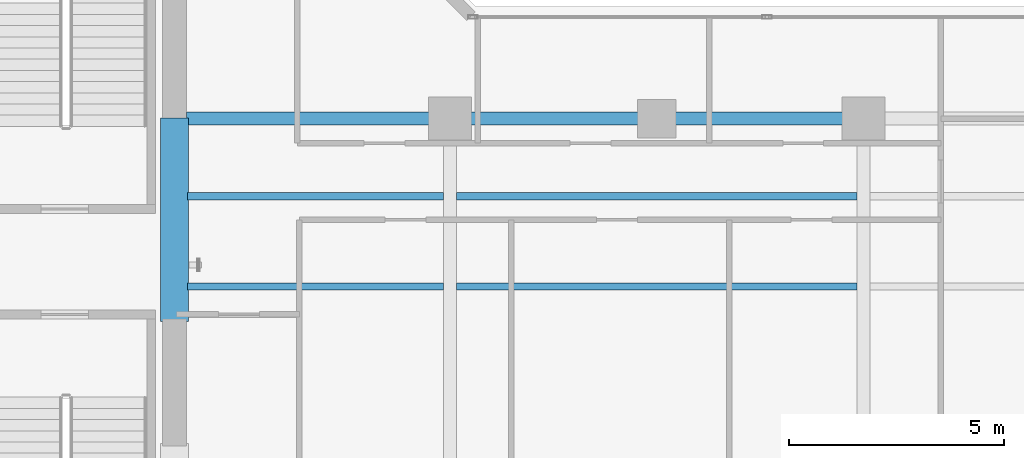
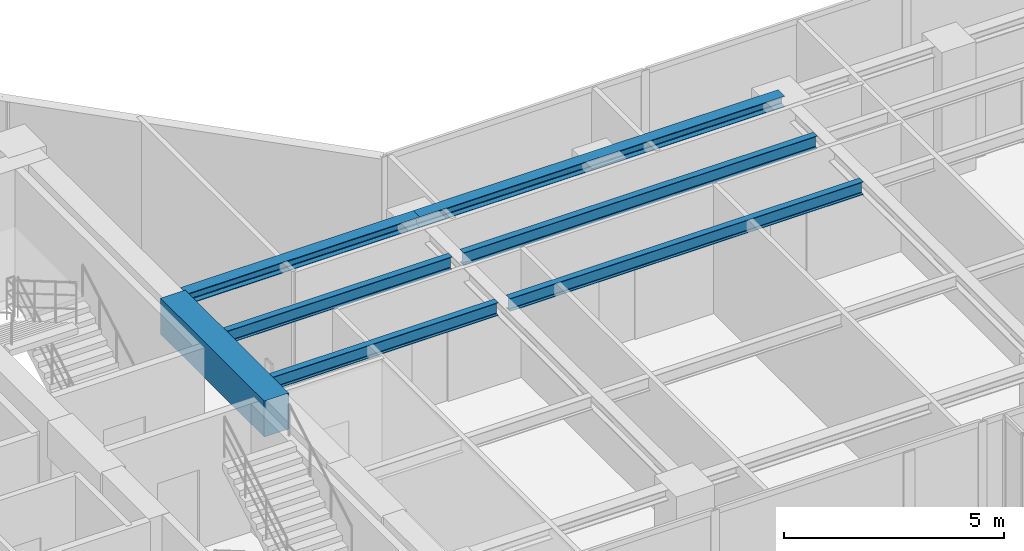
# One storey, part 6 of 24: 7 beams.
"""IFC4 building model written with IfcOpenShell, lengths in metres."""

from ifc_helpers import new_model, si_unit, direction, frame, origin, origin_2d, place, context, subcontext, project, spatial, rectangle, i_section, extrude, material, material_profile, profile_set, type_object, element, save


model = new_model("IFC4")

# Units and contexts
model_context = context("Model", 3, precision=1e-05, world=origin(), true_north=direction((0.0, 1.0)))
body_context = subcontext(model_context, "Body", "Model", "MODEL_VIEW")
ifc_project = project(units=[si_unit("LENGTHUNIT", "METRE"), si_unit("AREAUNIT", "SQUARE_METRE"), si_unit("VOLUMEUNIT", "CUBIC_METRE"), si_unit("PLANEANGLEUNIT", "RADIAN"), si_unit("MASSUNIT", "GRAM", prefix="KILO")], contexts=[model_context])

# Site, building, storey
site_placement = place(None, origin())
site = spatial("IfcSite", under=ifc_project, at=site_placement, CompositionType="ELEMENT")
building_placement = place(site_placement, origin())
building = spatial("IfcBuilding", under=site, at=building_placement, Name="Kolvaren Waterfront Exchange", CompositionType="ELEMENT")
storey_placement = place(building_placement, frame((0.0, 0.0, 208.300048828125)))
storey = spatial("IfcBuildingStorey", under=building, at=storey_placement, Name="L53", CompositionType="ELEMENT", Elevation=208.300048828125)

# Beams
ifc_material_1 = material(Name="Steel S355", Category="steel")
ifc_material_profile_1 = material_profile(ifc_material_1, i_section(OverallWidth=0.300048828125, OverallDepth=0.300048828125, WebThickness=0.010986328125, FlangeThickness=0.01904296875, FilletRadius=0.027099609375, at=origin_2d()), Name="HEB300")
ifc_profile_set_1 = profile_set([ifc_material_profile_1], Name="Steel S355")
beam_type_1 = type_object("IfcBeamType", Name="STR-BM-HEB300", PredefinedType="SPANDREL", material=ifc_profile_set_1)
beam_1_placement = place(storey_placement, frame((21.074951171875, 17.39990234375, 3.409912109375), z_axis=(1.0, 0.0, 0.0), x_axis=(0.0, 1.0, 0.0)))
element("IfcBeam", 1, at=beam_1_placement, inside=storey, type_object=beam_type_1, Name="L53 east-arm spandrel N1", PredefinedType="SPANDREL", context=body_context, shape_type="SweptSolid", body=[
    extrude(i_section(OverallWidth=0.300048828125, OverallDepth=0.300048828125, WebThickness=0.010986328125, FlangeThickness=0.01904296875, FilletRadius=0.027099609375, at=origin_2d()), origin(), (0.0, 0.0, 1.0), 6.125),
])
beam_2_placement = place(storey_placement, frame((27.199951171875, 17.39990234375, 3.409912109375), z_axis=(1.0, 0.0, 0.0), x_axis=(0.0, 1.0, 0.0)))
element("IfcBeam", 2, at=beam_2_placement, inside=storey, type_object=beam_type_1, Name="L53 east-arm spandrel N2", PredefinedType="SPANDREL", context=body_context, shape_type="SweptSolid", body=[
    extrude(i_section(OverallWidth=0.300048828125, OverallDepth=0.300048828125, WebThickness=0.010986328125, FlangeThickness=0.01904296875, FilletRadius=0.027099609375, at=origin_2d()), origin(), (0.0, 0.0, 1.0), 9.60009765625),
])
ifc_material_profile_2 = material_profile(ifc_material_1, i_section(OverallWidth=0.169921875, OverallDepth=0.360107421875, WebThickness=0.008056640625, FlangeThickness=0.0126953125, FilletRadius=0.01806640625, at=origin_2d()), Name="IPE360")
ifc_profile_set_2 = profile_set([ifc_material_profile_2], Name="Steel S355")
beam_type_2 = type_object("IfcBeamType", Name="STR-BM-IPE360", PredefinedType="JOIST", material=ifc_profile_set_2)
for number, where, z_axis, x_axis, name in (
    (3, (21.10009765625, 13.5, 3.3798828125), (1.0, 0.0, 0.0), (0.0, 1.0, 0.0), "L53 east-arm composite joist 1A"),
    (4, (21.10009765625, 15.60009765625, 3.3798828125), (1.0, 0.0, 0.0), (0.0, 1.0, 0.0), "L53 east-arm composite joist 1C"),
):
    element("IfcBeam", number, at=place(storey_placement, frame(where, z_axis=z_axis, x_axis=x_axis)), inside=storey, type_object=beam_type_2, Name=name, PredefinedType="JOIST", context=body_context, shape_type="SweptSolid", body=[
        extrude(i_section(OverallWidth=0.169921875, OverallDepth=0.360107421875, WebThickness=0.008056640625, FlangeThickness=0.0126953125, FilletRadius=0.01806640625, at=origin_2d()), origin(), (0.0, 0.0, 1.0), 5.947998046875),
    ])
for number, where, z_axis, x_axis, name in (
    (5, (27.35205078125, 13.5, 3.3798828125), (1.0, 0.0, 0.0), (0.0, 1.0, 0.0), "L53 east-arm composite joist 2A"),
    (6, (27.35205078125, 15.60009765625, 3.3798828125), (1.0, 0.0, 0.0), (0.0, 1.0, 0.0), "L53 east-arm composite joist 2C"),
):
    element("IfcBeam", number, at=place(storey_placement, frame(where, z_axis=z_axis, x_axis=x_axis)), inside=storey, type_object=beam_type_2, Name=name, PredefinedType="JOIST", context=body_context, shape_type="SweptSolid", body=[
        extrude(i_section(OverallWidth=0.169921875, OverallDepth=0.360107421875, WebThickness=0.008056640625, FlangeThickness=0.0126953125, FilletRadius=0.01806640625, at=origin_2d()), origin(), (0.0, 0.0, 1.0), 9.2958984375),
    ])
ifc_material_2 = material(Name="Concrete C60/75", Category="concrete")
ifc_material_profile_3 = material_profile(ifc_material_2, rectangle(XDim=0.64990234375, YDim=1.0, at=origin_2d()), Name="RC-CB-1000x650")
ifc_profile_set_3 = profile_set([ifc_material_profile_3], Name="Concrete C60/75")
beam_type_3 = type_object("IfcBeamType", Name="STR-CB-1000", PredefinedType="SPANDREL", material=ifc_profile_set_3)
beam_3_placement = place(storey_placement, frame((20.800048828125, 12.68994140625, 3.06005859375), z_axis=(0.0, 1.0, 0.0), x_axis=(-1.0, 0.0, 0.0)))
element("IfcBeam", 7, at=beam_3_placement, inside=storey, type_object=beam_type_3, Name="L53 core coupling beam 2", PredefinedType="SPANDREL", context=body_context, shape_type="SweptSolid", body=[
    extrude(rectangle(XDim=0.64990234375, YDim=1.0, at=origin_2d()), origin(), (0.0, 0.0, 1.0), 4.719970703125),
])

save(model, "model.ifc")
